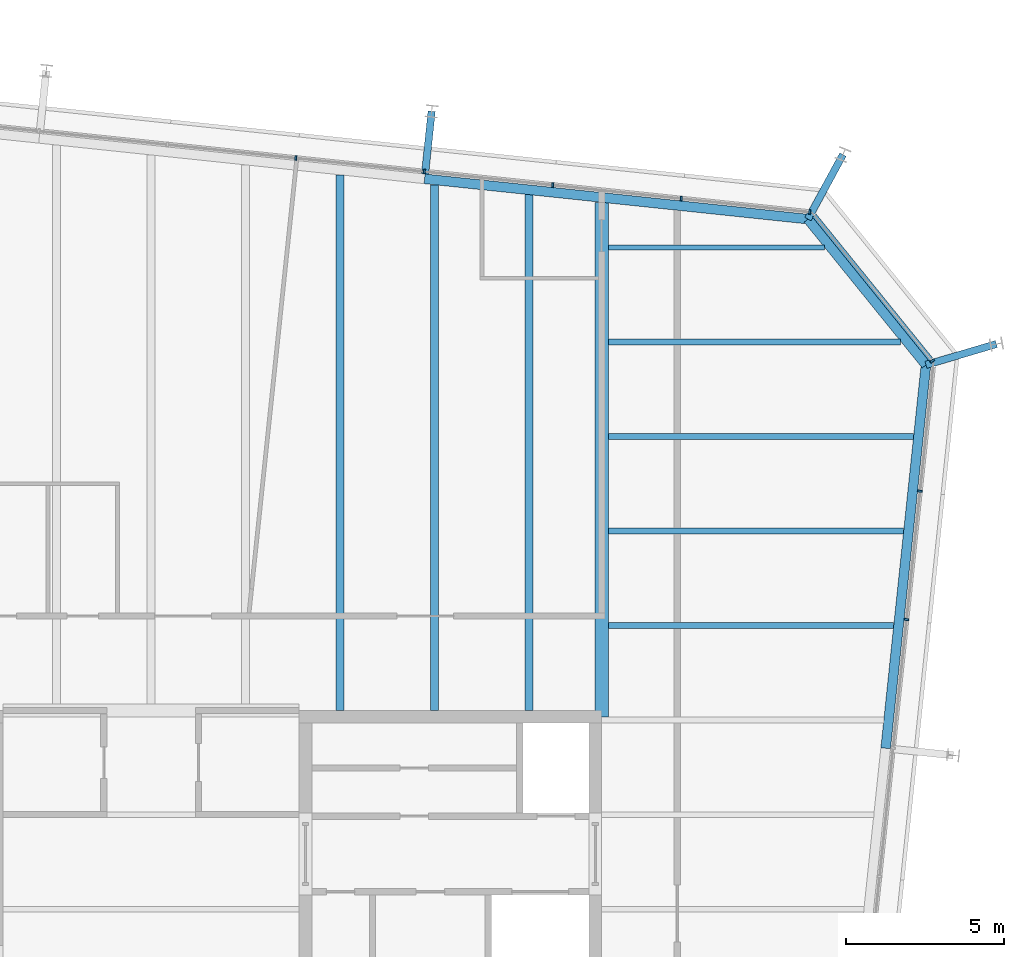
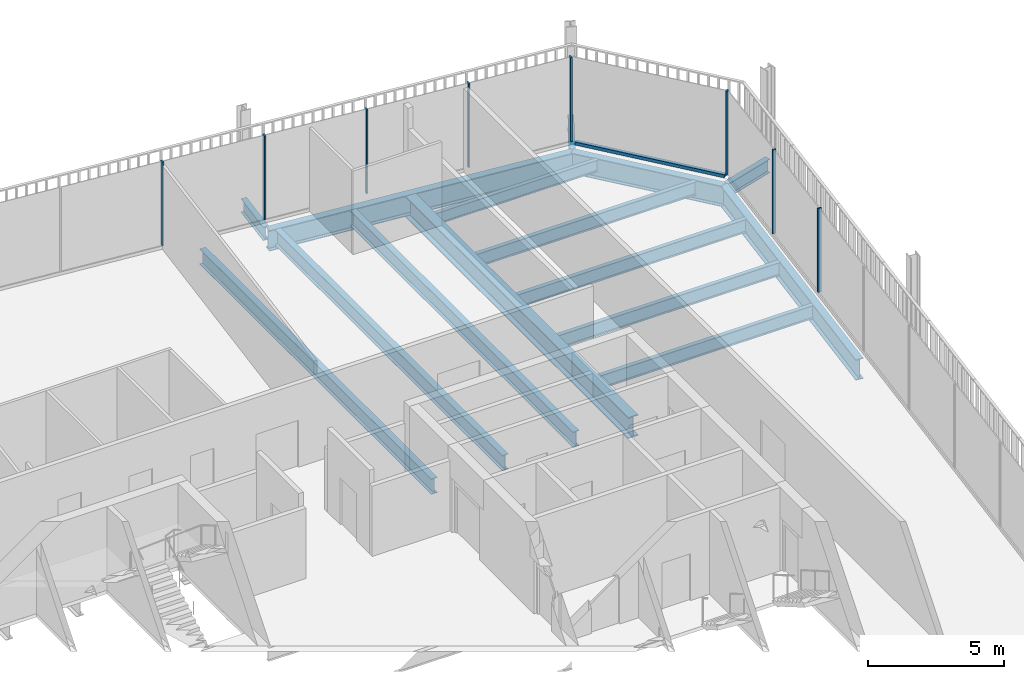
# One storey, part 14 of 20: 15 beams, 9 members, 3 elements without a shape of their own.
"""IFC4 building model written with IfcOpenShell, lengths in metres."""

from ifc_helpers import new_model, si_unit, direction, frame, origin, origin_2d, place, context, subcontext, project, spatial, rectangle, i_section, extrude, material, layer, layer_set, material_profile, profile_set, type_object, element, aggregate, save


model = new_model("IFC4")

# Units and contexts
model_context = context("Model", 3, precision=1e-05, world=origin(), true_north=direction((0.0, 1.0)))
body_context = subcontext(model_context, "Body", "Model", "MODEL_VIEW")
ifc_project = project(units=[si_unit("LENGTHUNIT", "METRE"), si_unit("AREAUNIT", "SQUARE_METRE"), si_unit("VOLUMEUNIT", "CUBIC_METRE"), si_unit("PLANEANGLEUNIT", "RADIAN"), si_unit("MASSUNIT", "GRAM", prefix="KILO")], contexts=[model_context])

# Site, building, storey
site_placement = place(None, origin())
site = spatial("IfcSite", under=ifc_project, at=site_placement, CompositionType="ELEMENT")
building_placement = place(site_placement, origin())
building = spatial("IfcBuilding", under=site, at=building_placement, Name="Millrace Tower", CompositionType="ELEMENT")
storey_placement = place(building_placement, frame((0.0, 0.0, 303.300048828125)))
storey = spatial("IfcBuildingStorey", under=building, at=storey_placement, Name="L70", CompositionType="ELEMENT", Elevation=303.300048828125)

# Curtain wall, members
ifc_material_1 = material(Name="Aluminium and glass", Category="aluminium")
ifc_layer = layer(ifc_material_1, 0.14990234375)
ifc_layer_set = layer_set([ifc_layer], Name="Aluminium and glass")
curtain_wall_type = type_object("IfcCurtainWallType", Name="CW-1 office vision curtain wall", PredefinedType="NOTDEFINED", material=ifc_layer_set)
placement = place(storey_placement, origin())
curtain_wall_1 = element("IfcCurtainWall", 1, at=placement, inside=storey, type_object=curtain_wall_type, Name="Curtain wall E-F04 L70", PredefinedType="NOTDEFINED")
ifc_material_2 = material(Name="Aluminium", Category="aluminium")
ifc_material_profile_1 = material_profile(ifc_material_2, rectangle(XDim=0.06494140625, YDim=0.14990234375, at=origin_2d()))
ifc_profile_set_1 = profile_set([ifc_material_profile_1], Name="Aluminium")
member_type_1 = type_object("IfcMemberType", Name="CW-1 office vision curtain wall mullion", PredefinedType="MULLION", material=ifc_profile_set_1)
member_1_placement = place(storey_placement, frame((23.974853515625, 12.1904296875, 0.139892578125), z_axis=(0.0, 0.0, 1.0), x_axis=(0.104528455196, 0.994521896217, 0.0)))
member_1 = element("IfcMember", 2, at=member_1_placement, type_object=member_type_1, Name="CW1 mullion E-F04.8", PredefinedType="MULLION", context=body_context, shape_type="SweptSolid", body=[
    extrude(rectangle(XDim=0.06494140625, YDim=0.14990234375, at=origin_2d()), origin(), (0.0, 0.0, 1.0), 3.760009765625),
])
member_2_placement = place(storey_placement, frame((24.4033203125, 16.267822265625, 0.139892578125), z_axis=(0.0, 0.0, 1.0), x_axis=(0.104528455196, 0.994521896217, 0.0)))
member_2 = element("IfcMember", 3, at=member_2_placement, type_object=member_type_1, Name="CW1 mullion E-F04.9", PredefinedType="MULLION", context=body_context, shape_type="SweptSolid", body=[
    extrude(rectangle(XDim=0.06494140625, YDim=0.14990234375, at=origin_2d()), origin(), (0.0, 0.0, 1.0), 3.760009765625),
])
aggregate(curtain_wall_1, [member_1, member_2])

# Curtain wall, member
curtain_wall_2 = element("IfcCurtainWall", 4, at=placement, inside=storey, type_object=curtain_wall_type, Name="Curtain wall E-F05 L70", PredefinedType="NOTDEFINED")
member_3_placement = place(storey_placement, frame((24.791748046875, 20.393310546875, 0.139892578125), z_axis=(0.0, 0.0, 1.0), x_axis=(-0.629320278945, 0.777146052237, 0.0)))
member_3 = element("IfcMember", 5, at=member_3_placement, type_object=member_type_1, Name="CW1 mullion E-F05.1", PredefinedType="MULLION", context=body_context, shape_type="SweptSolid", body=[
    extrude(rectangle(XDim=0.06494140625, YDim=0.14990234375, at=origin_2d()), origin(), (0.0, 0.0, 1.0), 3.760009765625),
])

# Curtain wall, members
curtain_wall_3 = element("IfcCurtainWall", 6, at=placement, inside=storey, type_object=curtain_wall_type, Name="Curtain wall E-F06 L70", PredefinedType="NOTDEFINED")
member_4_placement = place(storey_placement, frame((20.902587890625, 25.124755859375, 0.139892578125), z_axis=(0.0, 0.0, 1.0), x_axis=(-0.994521896217, 0.104528455196, 0.0)))
member_4 = element("IfcMember", 7, at=member_4_placement, type_object=member_type_1, Name="CW1 mullion E-F06.1", PredefinedType="MULLION", context=body_context, shape_type="SweptSolid", body=[
    extrude(rectangle(XDim=0.06494140625, YDim=0.14990234375, at=origin_2d()), origin(), (0.0, 0.0, 1.0), 3.760009765625),
])
member_5_placement = place(storey_placement, frame((16.824951171875, 25.553466796875, 0.139892578125), z_axis=(0.0, 0.0, 1.0), x_axis=(-0.994521896217, 0.104528455196, 0.0)))
member_5 = element("IfcMember", 8, at=member_5_placement, type_object=member_type_1, Name="CW1 mullion E-F06.2", PredefinedType="MULLION", context=body_context, shape_type="SweptSolid", body=[
    extrude(rectangle(XDim=0.06494140625, YDim=0.14990234375, at=origin_2d()), origin(), (0.0, 0.0, 1.0), 3.760009765625),
])
member_6_placement = place(storey_placement, frame((12.747314453125, 25.98193359375, 0.139892578125), z_axis=(0.0, 0.0, 1.0), x_axis=(-0.994521896217, 0.104528455196, 0.0)))
member_6 = element("IfcMember", 9, at=member_6_placement, type_object=member_type_1, Name="CW1 mullion E-F06.3", PredefinedType="MULLION", context=body_context, shape_type="SweptSolid", body=[
    extrude(rectangle(XDim=0.06494140625, YDim=0.14990234375, at=origin_2d()), origin(), (0.0, 0.0, 1.0), 3.760009765625),
])
member_7_placement = place(storey_placement, frame((8.669921875, 26.410400390625, 0.139892578125), z_axis=(0.0, 0.0, 1.0), x_axis=(-0.994521896217, 0.104528455196, 0.0)))
member_7 = element("IfcMember", 10, at=member_7_placement, type_object=member_type_1, Name="CW1 mullion E-F06.4", PredefinedType="MULLION", context=body_context, shape_type="SweptSolid", body=[
    extrude(rectangle(XDim=0.06494140625, YDim=0.14990234375, at=origin_2d()), origin(), (0.0, 0.0, 1.0), 3.760009765625),
])
member_8_placement = place(storey_placement, frame((4.59228515625, 26.839111328125, 0.139892578125), z_axis=(0.0, 0.0, 1.0), x_axis=(-0.994521896217, 0.104528455196, 0.0)))
member_8 = element("IfcMember", 11, at=member_8_placement, type_object=member_type_1, Name="CW1 mullion E-F06.5", PredefinedType="MULLION", context=body_context, shape_type="SweptSolid", body=[
    extrude(rectangle(XDim=0.06494140625, YDim=0.14990234375, at=origin_2d()), origin(), (0.0, 0.0, 1.0), 3.760009765625),
])
aggregate(curtain_wall_3, [member_4, member_5, member_6, member_7, member_8])

# Member
ifc_material_3 = material(Name="Aluminium", Category="aluminium")
ifc_material_profile_2 = material_profile(ifc_material_3, rectangle(XDim=0.14990234375, YDim=0.139892578125, at=origin_2d()))
ifc_profile_set_2 = profile_set([ifc_material_profile_2], Name="Aluminium")
member_type_2 = type_object("IfcMemberType", Name="CW-1 office vision curtain wall transom", PredefinedType="USERDEFINED", material=ifc_profile_set_2)
member_9_placement = place(storey_placement, frame((24.749267578125, 20.44580078125, 0.070068359375), z_axis=(-0.629321221277, 0.777145289151, 0.0), x_axis=(-0.777145289151, -0.629321221277, 0.0)))
member_9 = element("IfcMember", 12, at=member_9_placement, type_object=member_type_2, Name="CW1 transom E-F05.1", ObjectType="TRANSOM", PredefinedType="USERDEFINED", context=body_context, shape_type="SweptSolid", body=[
    extrude(rectangle(XDim=0.14990234375, YDim=0.139892578125, at=origin_2d()), origin(), (0.0, 0.0, 1.0), 5.881103515625),
])

aggregate(curtain_wall_2, [member_3, member_9])

# Beams
ifc_material_4 = material(Name="Steel ASTM A992 Grade 50", Category="steel")
ifc_material_profile_3 = material_profile(ifc_material_4, i_section(OverallWidth=0.1650390625, OverallDepth=0.52587890625, WebThickness=0.0087890625, FlangeThickness=0.011474609375, FilletRadius=0.0126953125, at=origin_2d()))
ifc_profile_set_3 = profile_set([ifc_material_profile_3], Name="Steel ASTM A992 Grade 50")
beam_type_1 = type_object("IfcBeamType", Name="Floor beam W21x44", PredefinedType="JOIST", material=ifc_profile_set_3)
beam_1_placement = place(storey_placement, frame((14.509521484375, 24.0, -0.4228515625), z_axis=(1.0, 0.0, 0.0), x_axis=(0.0, 1.0, 0.0)))
element("IfcBeam", 13, at=beam_1_placement, inside=storey, type_object=beam_type_1, Name="BM-E-L70-S1-S034", PredefinedType="JOIST", context=body_context, shape_type="SweptSolid", body=[
    extrude(i_section(OverallWidth=0.1650390625, OverallDepth=0.52587890625, WebThickness=0.0087890625, FlangeThickness=0.011474609375, FilletRadius=0.0126953125, at=origin_2d()), origin(), (0.0, 0.0, 1.0), 6.861572265625),
])
ifc_material_5 = material(Name="Steel ASTM A992 Grade 50", Category="steel")
ifc_material_profile_4 = material_profile(ifc_material_5, i_section(OverallWidth=0.177978515625, OverallDepth=0.599365234375, WebThickness=0.010009765625, FlangeThickness=0.012939453125, FilletRadius=0.012939453125, at=origin_2d()))
ifc_profile_set_4 = profile_set([ifc_material_profile_4], Name="Steel ASTM A992 Grade 50")
beam_type_2 = type_object("IfcBeamType", Name="Floor beam W24x55", PredefinedType="JOIST", material=ifc_profile_set_4)
beam_2_placement = place(storey_placement, frame((14.509521484375, 12.0, -0.459716796875), z_axis=(1.0, 0.0, 0.0), x_axis=(0.0, 1.0, 0.0)))
element("IfcBeam", 14, at=beam_2_placement, inside=storey, type_object=beam_type_2, Name="BM-E-L70-S1-S026", PredefinedType="JOIST", context=body_context, shape_type="SweptSolid", body=[
    extrude(i_section(OverallWidth=0.177978515625, OverallDepth=0.599365234375, WebThickness=0.010009765625, FlangeThickness=0.012939453125, FilletRadius=0.012939453125, at=origin_2d()), origin(), (0.0, 0.0, 1.0), 9.060791015625),
])
beam_3_placement = place(storey_placement, frame((14.509521484375, 15.0, -0.459716796875), z_axis=(1.0, 0.0, 0.0), x_axis=(0.0, 1.0, 0.0)))
element("IfcBeam", 15, at=beam_3_placement, inside=storey, type_object=beam_type_2, Name="BM-E-L70-S1-S028", PredefinedType="JOIST", context=body_context, shape_type="SweptSolid", body=[
    extrude(i_section(OverallWidth=0.177978515625, OverallDepth=0.599365234375, WebThickness=0.010009765625, FlangeThickness=0.012939453125, FilletRadius=0.012939453125, at=origin_2d()), origin(), (0.0, 0.0, 1.0), 9.376220703125),
])
beam_4_placement = place(storey_placement, frame((14.509521484375, 18.0, -0.459716796875), z_axis=(1.0, 0.0, 0.0), x_axis=(0.0, 1.0, 0.0)))
element("IfcBeam", 16, at=beam_4_placement, inside=storey, type_object=beam_type_2, Name="BM-E-L70-S1-S030", PredefinedType="JOIST", context=body_context, shape_type="SweptSolid", body=[
    extrude(i_section(OverallWidth=0.177978515625, OverallDepth=0.599365234375, WebThickness=0.010009765625, FlangeThickness=0.012939453125, FilletRadius=0.012939453125, at=origin_2d()), origin(), (0.0, 0.0, 1.0), 9.69140625),
])
beam_5_placement = place(storey_placement, frame((14.509521484375, 21.0, -0.459716796875), z_axis=(1.0, 0.0, 0.0), x_axis=(0.0, 1.0, 0.0)))
element("IfcBeam", 17, at=beam_5_placement, inside=storey, type_object=beam_type_2, Name="BM-E-L70-S1-S032", PredefinedType="JOIST", context=body_context, shape_type="SweptSolid", body=[
    extrude(i_section(OverallWidth=0.177978515625, OverallDepth=0.599365234375, WebThickness=0.010009765625, FlangeThickness=0.012939453125, FilletRadius=0.012939453125, at=origin_2d()), origin(), (0.0, 0.0, 1.0), 9.282958984375),
])
ifc_material_6 = material(Name="Steel ASTM A992 Grade 50", Category="steel")
ifc_material_profile_5 = material_profile(ifc_material_6, i_section(OverallWidth=0.256591796875, OverallDepth=0.693359375, WebThickness=0.014404296875, FlangeThickness=0.023681640625, FilletRadius=0.01513671875, at=origin_2d()))
ifc_profile_set_5 = profile_set([ifc_material_profile_5], Name="Steel ASTM A992 Grade 50")
beam_type_3 = type_object("IfcBeamType", Name="Floor beam W27x114", PredefinedType="JOIST", material=ifc_profile_set_5)
beam_6_placement = place(storey_placement, frame((6.0, 9.300048828125, -0.5068359375), z_axis=(0.0, 1.0, 0.0), x_axis=(-1.0, 0.0, 0.0)))
element("IfcBeam", 18, at=beam_6_placement, inside=storey, type_object=beam_type_3, Name="BM-E-L70-S1-S048", PredefinedType="JOIST", context=body_context, shape_type="SweptSolid", body=[
    extrude(i_section(OverallWidth=0.256591796875, OverallDepth=0.693359375, WebThickness=0.014404296875, FlangeThickness=0.023681640625, FilletRadius=0.01513671875, at=origin_2d()), origin(), (0.0, 0.0, 1.0), 17.006591796875),
])
beam_7_placement = place(storey_placement, frame((9.0, 9.300048828125, -0.5068359375), z_axis=(0.0, 1.0, 0.0), x_axis=(-1.0, 0.0, 0.0)))
element("IfcBeam", 19, at=beam_7_placement, inside=storey, type_object=beam_type_3, Name="BM-E-L70-S1-S050", PredefinedType="JOIST", context=body_context, shape_type="SweptSolid", body=[
    extrude(i_section(OverallWidth=0.256591796875, OverallDepth=0.693359375, WebThickness=0.014404296875, FlangeThickness=0.023681640625, FilletRadius=0.01513671875, at=origin_2d()), origin(), (0.0, 0.0, 1.0), 16.69140625),
])
beam_8_placement = place(storey_placement, frame((12.0, 9.300048828125, -0.5068359375), z_axis=(0.0, 1.0, 0.0), x_axis=(-1.0, 0.0, 0.0)))
element("IfcBeam", 20, at=beam_8_placement, inside=storey, type_object=beam_type_3, Name="BM-E-L70-S1-S052", PredefinedType="JOIST", context=body_context, shape_type="SweptSolid", body=[
    extrude(i_section(OverallWidth=0.256591796875, OverallDepth=0.693359375, WebThickness=0.014404296875, FlangeThickness=0.023681640625, FilletRadius=0.01513671875, at=origin_2d()), origin(), (0.0, 0.0, 1.0), 16.3759765625),
])
ifc_material_7 = material(Name="Steel ASTM A992 Grade 50", Category="steel")
ifc_material_profile_6 = material_profile(ifc_material_7, i_section(OverallWidth=0.424072265625, OverallDepth=0.947509765625, WebThickness=0.02392578125, FlangeThickness=0.042724609375, FilletRadius=0.024169921875, at=origin_2d()))
ifc_profile_set_6 = profile_set([ifc_material_profile_6], Name="Steel ASTM A992 Grade 50")
beam_type_4 = type_object("IfcBeamType", Name="Girder medium span W36x302", PredefinedType="BEAM", material=ifc_profile_set_6)
beam_9_placement = place(storey_placement, frame((14.300048828125, 9.092041015625, -0.6337890625), z_axis=(0.0, 1.0, 0.0), x_axis=(-1.0, 0.0, 0.0)))
element("IfcBeam", 21, at=beam_9_placement, inside=storey, type_object=beam_type_4, Name="BM-E-L70-S1-G056", PredefinedType="BEAM", context=body_context, shape_type="SweptSolid", body=[
    extrude(i_section(OverallWidth=0.424072265625, OverallDepth=0.947509765625, WebThickness=0.02392578125, FlangeThickness=0.042724609375, FilletRadius=0.024169921875, at=origin_2d()), origin(), (0.0, 0.0, 1.0), 16.34228515625),
])
ifc_material_8 = material(Name="Steel ASTM A992 Grade 50", Category="steel")
ifc_material_profile_7 = material_profile(ifc_material_8, i_section(OverallWidth=0.23046875, OverallDepth=0.6171875, WebThickness=0.01318359375, FlangeThickness=0.022216796875, FilletRadius=0.012939453125, at=origin_2d()))
ifc_profile_set_7 = profile_set([ifc_material_profile_7], Name="Steel ASTM A992 Grade 50")
beam_type_5 = type_object("IfcBeamType", Name="Link beam W24x94", PredefinedType="BEAM", material=ifc_profile_set_7)
beam_10_placement = place(storey_placement, frame((8.6943359375, 26.33251953125, -0.46875), z_axis=(0.104494148666, 0.99452550138, 0.0), x_axis=(-0.99452550138, 0.104494148666, 0.0)))
element("IfcBeam", 22, at=beam_10_placement, inside=storey, type_object=beam_type_5, Name="LNK-E-L70-S1-07", PredefinedType="BEAM", context=body_context, shape_type="SweptSolid", body=[
    extrude(i_section(OverallWidth=0.23046875, OverallDepth=0.6171875, WebThickness=0.01318359375, FlangeThickness=0.022216796875, FilletRadius=0.012939453125, at=origin_2d()), origin(), (0.0, 0.0, 1.0), 2.0),
])
for number, where, z_axis, x_axis, name in (
    (23, (20.84765625, 24.900634765625, -0.46875), (0.477163510307, 0.87881453358, 0.0), (-0.87881453358, 0.477163510307, 0.0), "LNK-E-L70-S1-08"),
    (24, (24.594482421875, 20.273681640625, -0.46875), (0.958815015936, 0.284031275065, 0.0), (-0.284031275065, 0.958815015936, 0.0), "LNK-E-L70-S1-09"),
):
    element("IfcBeam", number, at=place(storey_placement, frame(where, z_axis=z_axis, x_axis=x_axis)), inside=storey, type_object=beam_type_5, Name=name, PredefinedType="BEAM", context=body_context, shape_type="SweptSolid", body=[
        extrude(i_section(OverallWidth=0.23046875, OverallDepth=0.6171875, WebThickness=0.01318359375, FlangeThickness=0.022216796875, FilletRadius=0.012939453125, at=origin_2d()), origin(), (0.0, 0.0, 1.0), 2.3310546875),
    ])
ifc_material_9 = material(Name="Steel ASTM A992 Grade 50", Category="steel")
ifc_material_profile_8 = material_profile(ifc_material_9, i_section(OverallWidth=0.307373046875, OverallDepth=0.927001953125, WebThickness=0.01953125, FlangeThickness=0.031982421875, FilletRadius=0.01904296875, at=origin_2d()))
ifc_profile_set_8 = profile_set([ifc_material_profile_8], Name="Steel ASTM A992 Grade 50")
beam_type_6 = type_object("IfcBeamType", Name="Ring beam medium span W36x194", PredefinedType="SPANDREL", material=ifc_profile_set_8)
for number, where, z_axis, x_axis, name in (
    (25, (8.67822265625, 26.1796875, -0.62353515625), (0.994521948696, -0.104527955888, 0.0), (0.104527955888, 0.994521948696, 0.0), "RNG-E-L70-S1-07"),
    (26, (24.594482421875, 20.273681640625, -0.62353515625), (-0.104527955888, -0.994521948696, 0.0), (0.994521948696, -0.104527955888, 0.0), "RNG-E-L70-S1-09"),
):
    element("IfcBeam", number, at=place(storey_placement, frame(where, z_axis=z_axis, x_axis=x_axis)), inside=storey, type_object=beam_type_6, Name=name, PredefinedType="SPANDREL", context=body_context, shape_type="SweptSolid", body=[
        extrude(i_section(OverallWidth=0.307373046875, OverallDepth=0.927001953125, WebThickness=0.01953125, FlangeThickness=0.031982421875, FilletRadius=0.01904296875, at=origin_2d()), origin(), (0.0, 0.0, 1.0), 12.236572265625),
    ])
ifc_material_10 = material(Name="Steel ASTM A992 Grade 50", Category="steel")
ifc_material_profile_9 = material_profile(ifc_material_10, i_section(OverallWidth=0.307373046875, OverallDepth=0.927001953125, WebThickness=0.01953125, FlangeThickness=0.031982421875, FilletRadius=0.01904296875, at=origin_2d()))
ifc_profile_set_9 = profile_set([ifc_material_profile_9], Name="Steel ASTM A992 Grade 50")
beam_type_7 = type_object("IfcBeamType", Name="Ring beam short span W36x194", PredefinedType="SPANDREL", material=ifc_profile_set_9)
beam_11_placement = place(storey_placement, frame((20.84765625, 24.900634765625, -0.62353515625), z_axis=(0.629319722443, -0.777146502883, 0.0), x_axis=(0.777146502883, 0.629319722443, 0.0)))
element("IfcBeam", 27, at=beam_11_placement, inside=storey, type_object=beam_type_7, Name="RNG-E-L70-S1-08", PredefinedType="SPANDREL", context=body_context, shape_type="SweptSolid", body=[
    extrude(i_section(OverallWidth=0.307373046875, OverallDepth=0.927001953125, WebThickness=0.01953125, FlangeThickness=0.031982421875, FilletRadius=0.01904296875, at=origin_2d()), origin(), (0.0, 0.0, 1.0), 5.953857421875),
])

save(model, "model.ifc")
